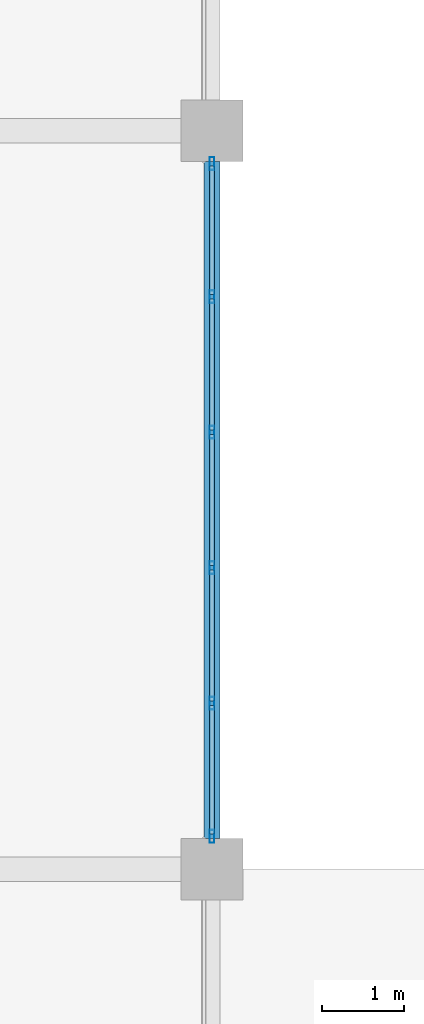
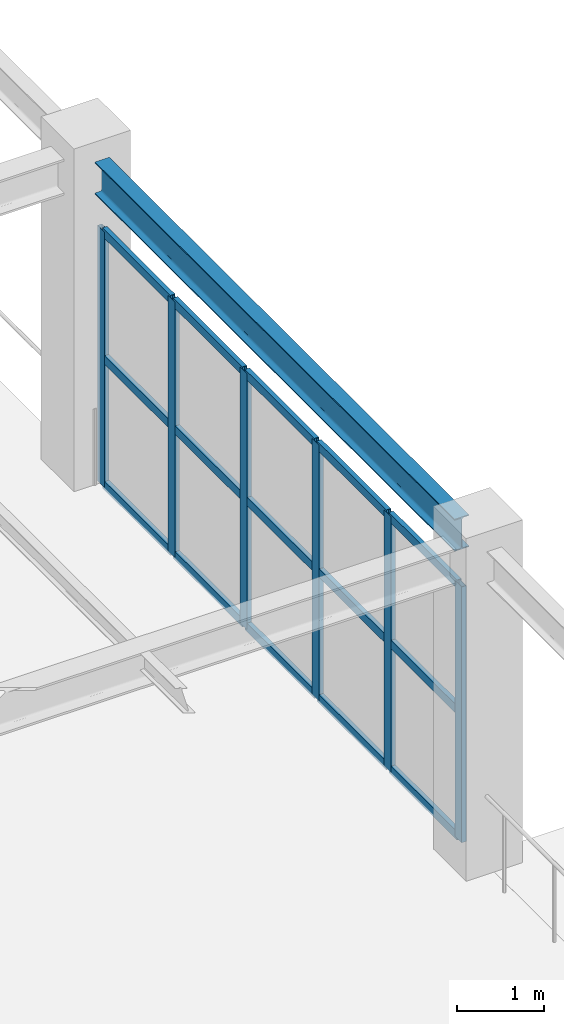
# One storey, part 21 of 89: 21 members, 1 beam, 1 element without a shape of its own.
"""IFC4 building model written with IfcOpenShell, lengths in metres."""

from ifc_helpers import new_model, si_unit, direction, frame, origin, origin_2d, place, context, subcontext, project, spatial, hollow_rectangle, i_section, extrude, material, layer, layer_set, material_profile, profile_set, type_object, element, aggregate, save


model = new_model("IFC4")

# Units and contexts
model_context = context("Model", 3, precision=1e-05, world=origin(), true_north=direction((0.0, 1.0)))
body_context = subcontext(model_context, "Body", "Model", "MODEL_VIEW")
ifc_project = project(units=[si_unit("LENGTHUNIT", "METRE"), si_unit("AREAUNIT", "SQUARE_METRE"), si_unit("VOLUMEUNIT", "CUBIC_METRE"), si_unit("PLANEANGLEUNIT", "RADIAN"), si_unit("MASSUNIT", "GRAM", prefix="KILO")], contexts=[model_context])

# Site, building, storey
site_placement = place(None, origin())
site = spatial("IfcSite", under=ifc_project, at=site_placement, CompositionType="ELEMENT")
building_placement = place(site_placement, origin())
building = spatial("IfcBuilding", under=site, at=building_placement, Name="Dornveld Trade and Exhibition Forum", CompositionType="ELEMENT")
storey_placement = place(building_placement, frame((0.0, 0.0, 12.0)))
storey = spatial("IfcBuildingStorey", under=building, at=storey_placement, Name="L02", CompositionType="ELEMENT", Elevation=12.0)

# Beam
ifc_material_1 = material(Name="Steel S355J2", Category="steel")
ifc_material_profile_1 = material_profile(ifc_material_1, i_section(OverallWidth=0.18994140625, OverallDepth=0.449951171875, WebThickness=0.009521484375, FlangeThickness=0.0146484375, FilletRadius=0.02099609375, at=origin_2d()), Name="IPE 450")
ifc_profile_set_1 = profile_set([ifc_material_profile_1], Name="Steel S355J2")
beam_type = type_object("IfcBeamType", Name="BM-SEC-450", PredefinedType="BEAM", material=ifc_profile_set_1)
beam_placement = place(storey_placement, frame((153.0, 54.37109375, 4.294921875), z_axis=(0.0, 1.0, 0.0), x_axis=(-1.0, 0.0, 0.0)))
element("IfcBeam", 1, at=beam_placement, inside=storey, type_object=beam_type, Name="L02 Y-girder 1529", PredefinedType="BEAM", context=body_context, shape_type="SweptSolid", body=[
    extrude(i_section(OverallWidth=0.18994140625, OverallDepth=0.449951171875, WebThickness=0.009521484375, FlangeThickness=0.0146484375, FilletRadius=0.02099609375, at=origin_2d()), origin(), (0.0, 0.0, 1.0), 8.2578125),
])

# Curtain wall, members
ifc_material_2 = material(Name="Dark-bronze anodised aluminium and low-E glass", Category="aluminium")
ifc_layer = layer(ifc_material_2, 0.166015625)
ifc_layer_set = layer_set([ifc_layer], Name="Dark-bronze anodised aluminium and low-E glass")
curtain_wall_type = type_object("IfcCurtainWallType", Name="CW-SYS-08", PredefinedType="USERDEFINED", material=ifc_layer_set)
curtain_wall_placement = place(storey_placement, origin())
curtain_wall = element("IfcCurtainWall", 2, at=curtain_wall_placement, inside=storey, type_object=curtain_wall_type, Name="L02 unitised curtain wall 62", ObjectType="UNITISED_CURTAIN_WALL", PredefinedType="USERDEFINED")
ifc_material_3 = material(Name="Dark-bronze anodised aluminium", Category="aluminium")
ifc_material_profile_2 = material_profile(ifc_material_3, hollow_rectangle(XDim=0.06005859375, YDim=0.159912109375, WallThickness=0.00390625, at=origin_2d()), Name="RHS 160x60x4")
ifc_profile_set_2 = profile_set([ifc_material_profile_2], Name="Dark-bronze anodised aluminium")
member_type_1 = type_object("IfcMemberType", Name="CW-MUL-160", PredefinedType="MULLION", material=ifc_profile_set_2)
member_1_placement = place(storey_placement, frame((153.0, 54.40087890625, -0.00390625), z_axis=(0.0, 0.0, 1.0), x_axis=(-1.0, 0.0, 0.0)))
member_1 = element("IfcMember", 3, at=member_1_placement, type_object=member_type_1, Name="CW-08 mullion 1", PredefinedType="MULLION", context=body_context, shape_type="SweptSolid", body=[
    extrude(hollow_rectangle(XDim=0.06005859375, YDim=0.159912109375, WallThickness=0.00390625, at=origin_2d()), origin(), (0.0, 0.0, 1.0), 3.583984375),
])
member_2_placement = place(storey_placement, frame((153.0, 56.022705078125, -0.00390625), z_axis=(0.0, 0.0, 1.0), x_axis=(-1.0, 0.0, 0.0)))
member_2 = element("IfcMember", 4, at=member_2_placement, type_object=member_type_1, Name="CW-08 mullion 2", PredefinedType="MULLION", context=body_context, shape_type="SweptSolid", body=[
    extrude(hollow_rectangle(XDim=0.06005859375, YDim=0.159912109375, WallThickness=0.00390625, at=origin_2d()), origin(), (0.0, 0.0, 1.0), 3.583984375),
])
member_3_placement = place(storey_placement, frame((153.0, 57.67431640625, -0.00390625), z_axis=(0.0, 0.0, 1.0), x_axis=(-1.0, 0.0, 0.0)))
member_3 = element("IfcMember", 5, at=member_3_placement, type_object=member_type_1, Name="CW-08 mullion 3", PredefinedType="MULLION", context=body_context, shape_type="SweptSolid", body=[
    extrude(hollow_rectangle(XDim=0.06005859375, YDim=0.159912109375, WallThickness=0.00390625, at=origin_2d()), origin(), (0.0, 0.0, 1.0), 3.583984375),
])
member_4_placement = place(storey_placement, frame((153.0, 59.32568359375, -0.00390625), z_axis=(0.0, 0.0, 1.0), x_axis=(-1.0, 0.0, 0.0)))
member_4 = element("IfcMember", 6, at=member_4_placement, type_object=member_type_1, Name="CW-08 mullion 4", PredefinedType="MULLION", context=body_context, shape_type="SweptSolid", body=[
    extrude(hollow_rectangle(XDim=0.06005859375, YDim=0.159912109375, WallThickness=0.00390625, at=origin_2d()), origin(), (0.0, 0.0, 1.0), 3.583984375),
])
member_5_placement = place(storey_placement, frame((153.0, 60.977294921875, -0.00390625), z_axis=(0.0, 0.0, 1.0), x_axis=(-1.0, 0.0, 0.0)))
member_5 = element("IfcMember", 7, at=member_5_placement, type_object=member_type_1, Name="CW-08 mullion 5", PredefinedType="MULLION", context=body_context, shape_type="SweptSolid", body=[
    extrude(hollow_rectangle(XDim=0.06005859375, YDim=0.159912109375, WallThickness=0.00390625, at=origin_2d()), origin(), (0.0, 0.0, 1.0), 3.583984375),
])
member_6_placement = place(storey_placement, frame((153.0, 62.59912109375, -0.00390625), z_axis=(0.0, 0.0, 1.0), x_axis=(-1.0, 0.0, 0.0)))
member_6 = element("IfcMember", 8, at=member_6_placement, type_object=member_type_1, Name="CW-08 mullion 6", PredefinedType="MULLION", context=body_context, shape_type="SweptSolid", body=[
    extrude(hollow_rectangle(XDim=0.06005859375, YDim=0.159912109375, WallThickness=0.00390625, at=origin_2d()), origin(), (0.0, 0.0, 1.0), 3.583984375),
])
ifc_material_4 = material(Name="Dark-bronze anodised aluminium", Category="aluminium")
ifc_material_profile_3 = material_profile(ifc_material_4, hollow_rectangle(XDim=0.06005859375, YDim=0.1201171875, WallThickness=0.00390625, at=origin_2d()), Name="RHS 120x60x4")
ifc_profile_set_3 = profile_set([ifc_material_profile_3], Name="Dark-bronze anodised aluminium")
member_type_2 = type_object("IfcMemberType", Name="CW-TRN-120", PredefinedType="USERDEFINED", material=ifc_profile_set_3)
member_7_placement = place(storey_placement, frame((153.0, 54.430908203125, 0.02587890625), z_axis=(0.0, 1.0, 0.0), x_axis=(-1.0, 0.0, 0.0)))
member_7 = element("IfcMember", 9, at=member_7_placement, type_object=member_type_2, Name="CW-08 transom 1.1", ObjectType="TRANSOM", PredefinedType="USERDEFINED", context=body_context, shape_type="SweptSolid", body=[
    extrude(hollow_rectangle(XDim=0.06005859375, YDim=0.1201171875, WallThickness=0.00390625, at=origin_2d()), origin(), (0.0, 0.0, 1.0), 1.561767578125),
])
member_8_placement = place(storey_placement, frame((153.0, 54.430908203125, 1.7880859375), z_axis=(0.0, 1.0, 0.0), x_axis=(-1.0, 0.0, 0.0)))
member_8 = element("IfcMember", 10, at=member_8_placement, type_object=member_type_2, Name="CW-08 transom 1.2", ObjectType="TRANSOM", PredefinedType="USERDEFINED", context=body_context, shape_type="SweptSolid", body=[
    extrude(hollow_rectangle(XDim=0.06005859375, YDim=0.1201171875, WallThickness=0.00390625, at=origin_2d()), origin(), (0.0, 0.0, 1.0), 1.561767578125),
])
member_9_placement = place(storey_placement, frame((153.0, 54.430908203125, 3.550048828125), z_axis=(0.0, 1.0, 0.0), x_axis=(-1.0, 0.0, 0.0)))
member_9 = element("IfcMember", 11, at=member_9_placement, type_object=member_type_2, Name="CW-08 transom 1.3", ObjectType="TRANSOM", PredefinedType="USERDEFINED", context=body_context, shape_type="SweptSolid", body=[
    extrude(hollow_rectangle(XDim=0.06005859375, YDim=0.1201171875, WallThickness=0.00390625, at=origin_2d()), origin(), (0.0, 0.0, 1.0), 1.561767578125),
])
member_10_placement = place(storey_placement, frame((153.0, 56.052490234375, 0.02587890625), z_axis=(0.0, 1.0, 0.0), x_axis=(-1.0, 0.0, 0.0)))
member_10 = element("IfcMember", 12, at=member_10_placement, type_object=member_type_2, Name="CW-08 transom 2.1", ObjectType="TRANSOM", PredefinedType="USERDEFINED", context=body_context, shape_type="SweptSolid", body=[
    extrude(hollow_rectangle(XDim=0.06005859375, YDim=0.1201171875, WallThickness=0.00390625, at=origin_2d()), origin(), (0.0, 0.0, 1.0), 1.591796875),
])
member_11_placement = place(storey_placement, frame((153.0, 56.052490234375, 1.7880859375), z_axis=(0.0, 1.0, 0.0), x_axis=(-1.0, 0.0, 0.0)))
member_11 = element("IfcMember", 13, at=member_11_placement, type_object=member_type_2, Name="CW-08 transom 2.2", ObjectType="TRANSOM", PredefinedType="USERDEFINED", context=body_context, shape_type="SweptSolid", body=[
    extrude(hollow_rectangle(XDim=0.06005859375, YDim=0.1201171875, WallThickness=0.00390625, at=origin_2d()), origin(), (0.0, 0.0, 1.0), 1.591796875),
])
member_12_placement = place(storey_placement, frame((153.0, 56.052490234375, 3.550048828125), z_axis=(0.0, 1.0, 0.0), x_axis=(-1.0, 0.0, 0.0)))
member_12 = element("IfcMember", 14, at=member_12_placement, type_object=member_type_2, Name="CW-08 transom 2.3", ObjectType="TRANSOM", PredefinedType="USERDEFINED", context=body_context, shape_type="SweptSolid", body=[
    extrude(hollow_rectangle(XDim=0.06005859375, YDim=0.1201171875, WallThickness=0.00390625, at=origin_2d()), origin(), (0.0, 0.0, 1.0), 1.591796875),
])
member_13_placement = place(storey_placement, frame((153.0, 57.7041015625, 0.02587890625), z_axis=(0.0, 1.0, 0.0), x_axis=(-1.0, 0.0, 0.0)))
member_13 = element("IfcMember", 15, at=member_13_placement, type_object=member_type_2, Name="CW-08 transom 3.1", ObjectType="TRANSOM", PredefinedType="USERDEFINED", context=body_context, shape_type="SweptSolid", body=[
    extrude(hollow_rectangle(XDim=0.06005859375, YDim=0.1201171875, WallThickness=0.00390625, at=origin_2d()), origin(), (0.0, 0.0, 1.0), 1.591796875),
])
member_14_placement = place(storey_placement, frame((153.0, 57.7041015625, 1.7880859375), z_axis=(0.0, 1.0, 0.0), x_axis=(-1.0, 0.0, 0.0)))
member_14 = element("IfcMember", 16, at=member_14_placement, type_object=member_type_2, Name="CW-08 transom 3.2", ObjectType="TRANSOM", PredefinedType="USERDEFINED", context=body_context, shape_type="SweptSolid", body=[
    extrude(hollow_rectangle(XDim=0.06005859375, YDim=0.1201171875, WallThickness=0.00390625, at=origin_2d()), origin(), (0.0, 0.0, 1.0), 1.591796875),
])
member_15_placement = place(storey_placement, frame((153.0, 57.7041015625, 3.550048828125), z_axis=(0.0, 1.0, 0.0), x_axis=(-1.0, 0.0, 0.0)))
member_15 = element("IfcMember", 17, at=member_15_placement, type_object=member_type_2, Name="CW-08 transom 3.3", ObjectType="TRANSOM", PredefinedType="USERDEFINED", context=body_context, shape_type="SweptSolid", body=[
    extrude(hollow_rectangle(XDim=0.06005859375, YDim=0.1201171875, WallThickness=0.00390625, at=origin_2d()), origin(), (0.0, 0.0, 1.0), 1.591796875),
])
member_16_placement = place(storey_placement, frame((153.0, 59.355712890625, 0.02587890625), z_axis=(0.0, 1.0, 0.0), x_axis=(-1.0, 0.0, 0.0)))
member_16 = element("IfcMember", 18, at=member_16_placement, type_object=member_type_2, Name="CW-08 transom 4.1", ObjectType="TRANSOM", PredefinedType="USERDEFINED", context=body_context, shape_type="SweptSolid", body=[
    extrude(hollow_rectangle(XDim=0.06005859375, YDim=0.1201171875, WallThickness=0.00390625, at=origin_2d()), origin(), (0.0, 0.0, 1.0), 1.591796875),
])
member_17_placement = place(storey_placement, frame((153.0, 59.355712890625, 1.7880859375), z_axis=(0.0, 1.0, 0.0), x_axis=(-1.0, 0.0, 0.0)))
member_17 = element("IfcMember", 19, at=member_17_placement, type_object=member_type_2, Name="CW-08 transom 4.2", ObjectType="TRANSOM", PredefinedType="USERDEFINED", context=body_context, shape_type="SweptSolid", body=[
    extrude(hollow_rectangle(XDim=0.06005859375, YDim=0.1201171875, WallThickness=0.00390625, at=origin_2d()), origin(), (0.0, 0.0, 1.0), 1.591796875),
])
member_18_placement = place(storey_placement, frame((153.0, 59.355712890625, 3.550048828125), z_axis=(0.0, 1.0, 0.0), x_axis=(-1.0, 0.0, 0.0)))
member_18 = element("IfcMember", 20, at=member_18_placement, type_object=member_type_2, Name="CW-08 transom 4.3", ObjectType="TRANSOM", PredefinedType="USERDEFINED", context=body_context, shape_type="SweptSolid", body=[
    extrude(hollow_rectangle(XDim=0.06005859375, YDim=0.1201171875, WallThickness=0.00390625, at=origin_2d()), origin(), (0.0, 0.0, 1.0), 1.591796875),
])
member_19_placement = place(storey_placement, frame((153.0, 61.00732421875, 0.02587890625), z_axis=(0.0, 1.0, 0.0), x_axis=(-1.0, 0.0, 0.0)))
member_19 = element("IfcMember", 21, at=member_19_placement, type_object=member_type_2, Name="CW-08 transom 5.1", ObjectType="TRANSOM", PredefinedType="USERDEFINED", context=body_context, shape_type="SweptSolid", body=[
    extrude(hollow_rectangle(XDim=0.06005859375, YDim=0.1201171875, WallThickness=0.00390625, at=origin_2d()), origin(), (0.0, 0.0, 1.0), 1.561767578125),
])
member_20_placement = place(storey_placement, frame((153.0, 61.00732421875, 1.7880859375), z_axis=(0.0, 1.0, 0.0), x_axis=(-1.0, 0.0, 0.0)))
member_20 = element("IfcMember", 22, at=member_20_placement, type_object=member_type_2, Name="CW-08 transom 5.2", ObjectType="TRANSOM", PredefinedType="USERDEFINED", context=body_context, shape_type="SweptSolid", body=[
    extrude(hollow_rectangle(XDim=0.06005859375, YDim=0.1201171875, WallThickness=0.00390625, at=origin_2d()), origin(), (0.0, 0.0, 1.0), 1.561767578125),
])
member_21_placement = place(storey_placement, frame((153.0, 61.00732421875, 3.550048828125), z_axis=(0.0, 1.0, 0.0), x_axis=(-1.0, 0.0, 0.0)))
member_21 = element("IfcMember", 23, at=member_21_placement, type_object=member_type_2, Name="CW-08 transom 5.3", ObjectType="TRANSOM", PredefinedType="USERDEFINED", context=body_context, shape_type="SweptSolid", body=[
    extrude(hollow_rectangle(XDim=0.06005859375, YDim=0.1201171875, WallThickness=0.00390625, at=origin_2d()), origin(), (0.0, 0.0, 1.0), 1.561767578125),
])
aggregate(curtain_wall, [member_1, member_2, member_3, member_4, member_5, member_6, member_7, member_8, member_9, member_10, member_11, member_12, member_13, member_14, member_15, member_16, member_17, member_18, member_19, member_20, member_21])

save(model, "model.ifc")
